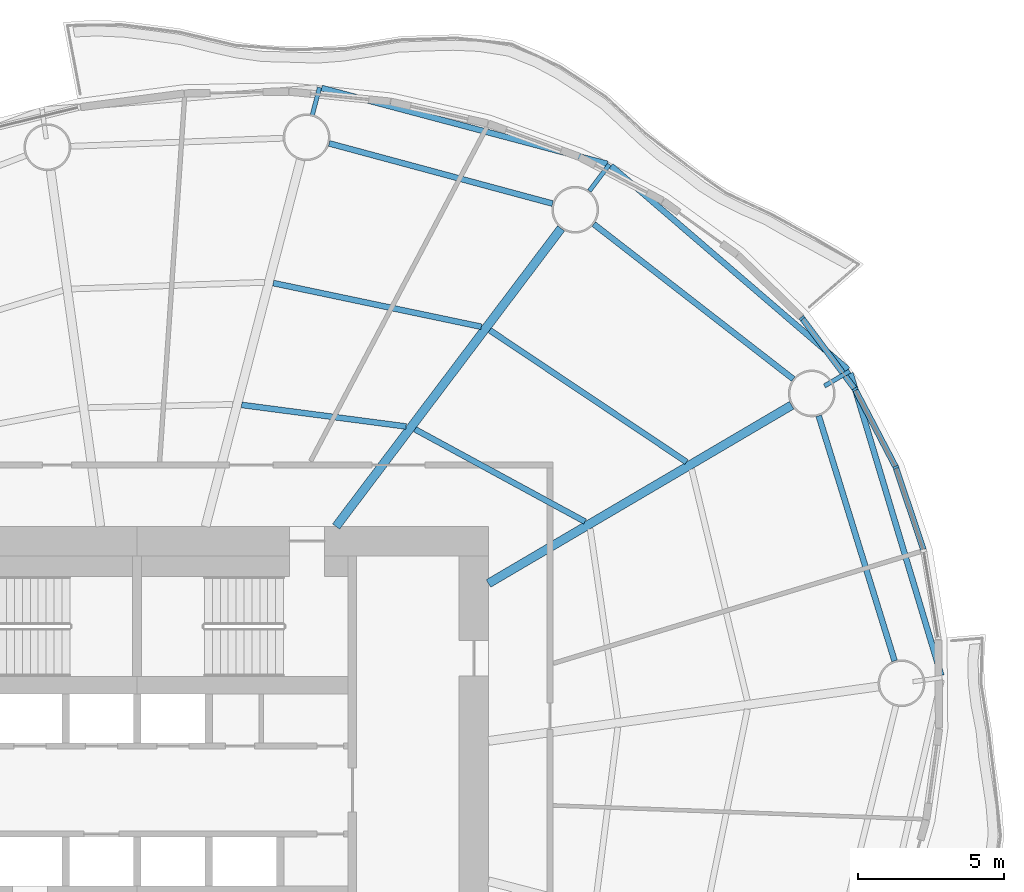
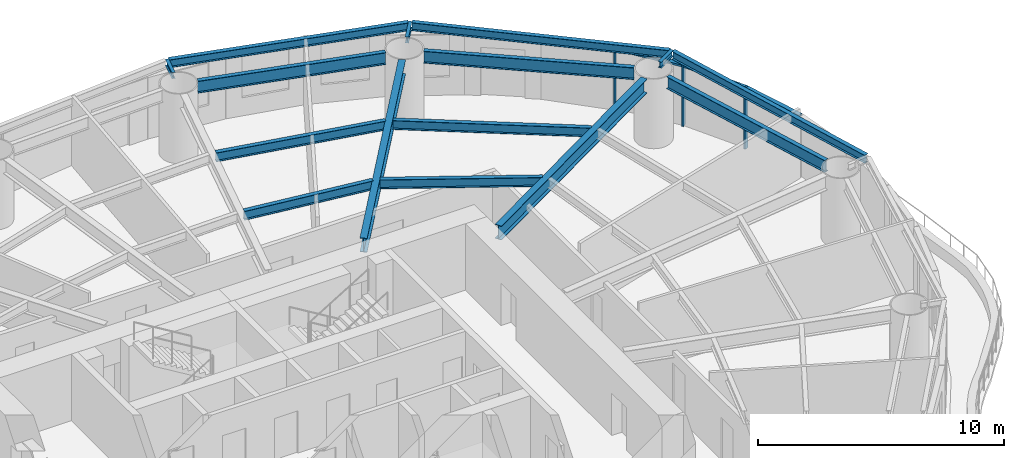
# One storey, part 6 of 14: 15 beams, 6 members, 3 elements without a shape of their own.
"""IFC4 building model written with IfcOpenShell, lengths in metres."""

import ifcopenshell
import ifcopenshell.guid

model = None  # the IFC model being written
_history = None  # IfcOwnerHistory: only IFC2X3 demands one
_inside = {}  # id of a spatial element -> (the spatial element, [elements in it])
_under = {}  # id of a project, library or spatial element -> (it, [spatial elements below it])
_declared = {}  # id of a project -> (the project, [libraries it declares])
_typed = {}  # id of a type object -> (the type object, [elements of that type])
_made_of = {}  # id of a material, layer set ... -> (it, [elements and type objects made of it])


def new_model(schema):
    """Start an empty IFC model of exactly this schema.

    Asked for "IFC4X3", IfcOpenShell would pick the latest addendum, in which some entities
    have other attributes; the version numbers below select the first issue.
    IFC2X3 requires an IfcOwnerHistory on every rooted entity: one is made here for all.
    """
    global model, _history
    if schema == "IFC4X3":
        model = ifcopenshell.file(schema_version=(4, 3, 0, 0))
    else:
        model = ifcopenshell.file(schema=schema)
    _inside.clear()
    _under.clear()
    _declared.clear()
    _typed.clear()
    _made_of.clear()
    _history = None
    if model.schema == "IFC2X3":
        org = make("IfcOrganization", Name="unknown")
        user = make(
            "IfcPersonAndOrganization",
            ThePerson=make("IfcPerson", FamilyName="unknown"),
            TheOrganization=org,
        )
        app = make(
            "IfcApplication",
            ApplicationDeveloper=org,
            Version="unknown",
            ApplicationFullName="unknown",
            ApplicationIdentifier="unknown",
        )
        _history = make(
            "IfcOwnerHistory",
            OwningUser=user,
            OwningApplication=app,
            ChangeAction="ADDED",
            CreationDate=0,
        )
    return model


def make(cls, **values):
    """One entity of the class cls with the attributes given. An attribute that is None is left unset."""
    return model.create_entity(
        cls, **{name: value for name, value in values.items() if value is not None}
    )


def rooted(cls, **values):
    """An entity with a GlobalId (a new one), such as an element, a storey or a relation."""
    return make(cls, GlobalId=ifcopenshell.guid.new(), OwnerHistory=_history, **values)


def si_unit(unit_type, name, prefix=None):
    """IfcSIUnit, for example si_unit("LENGTHUNIT", "METRE", prefix="MILLI")."""
    return make("IfcSIUnit", UnitType=unit_type, Prefix=prefix, Name=name)


def assignment(units):
    """IfcUnitAssignment: the units of a project."""
    return None if units is None else make("IfcUnitAssignment", Units=units)


def point(xyz):
    """IfcCartesianPoint."""
    return None if xyz is None else make("IfcCartesianPoint", Coordinates=xyz)


def direction(xyz):
    """IfcDirection."""
    return None if xyz is None else make("IfcDirection", DirectionRatios=xyz)


def frame(location, z_axis=None, x_axis=None):
    """IfcAxis2Placement3D, a coordinate frame: its origin and axes. An axis left out is left unset."""
    return make(
        "IfcAxis2Placement3D",
        Location=point(location),
        Axis=direction(z_axis),
        RefDirection=direction(x_axis),
    )


def frame_2d(location, x_axis=None):
    """IfcAxis2Placement2D, a coordinate frame in the plane: its origin and x axis."""
    return make(
        "IfcAxis2Placement2D", Location=point(location), RefDirection=direction(x_axis)
    )


def origin():
    """The frame at (0, 0, 0) with its axes left unset."""
    return frame((0.0, 0.0, 0.0))


def origin_2d():
    """The frame at (0, 0) in the plane with its x axis left unset."""
    return frame_2d((0.0, 0.0))


def place(relative_to, where):
    """IfcLocalPlacement: puts the frame where relative to a parent placement (None: the world)."""
    return make(
        "IfcLocalPlacement", PlacementRelTo=relative_to, RelativePlacement=where
    )


def context(
    kind, dimensions, precision=None, world=None, true_north=None, identifier=None
):
    """IfcGeometricRepresentationContext, for example the 3D "Model" context."""
    return make(
        "IfcGeometricRepresentationContext",
        ContextIdentifier=identifier,
        ContextType=kind,
        CoordinateSpaceDimension=dimensions,
        Precision=precision,
        WorldCoordinateSystem=world,
        TrueNorth=true_north,
    )


def subcontext(parent, identifier, kind, view, scale=None):
    """IfcGeometricRepresentationSubContext, for example "Body" below "Model"."""
    return make(
        "IfcGeometricRepresentationSubContext",
        ContextIdentifier=identifier,
        ContextType=kind,
        ParentContext=parent,
        TargetScale=scale,
        TargetView=view,
    )


def project(units=None, contexts=None):
    """IfcProject with its units and contexts."""
    return rooted(
        "IfcProject",
        Name="project",
        RepresentationContexts=contexts,
        UnitsInContext=assignment(units),
    )


def spatial(cls, under=None, at=None, **own):
    """A site, building, storey or space (cls), placed at a placement, below another one or the project."""
    s = rooted(cls, ObjectPlacement=at, **own)
    if under is not None:
        _under.setdefault(under.id(), (under, []))[1].append(s)
    return s


def profile(cls, at=None, kind="AREA", **sizes):
    """A parametric profile (cls). Its sizes go by their IFC names, for example OverallWidth=200.0."""
    return make(cls, ProfileType=kind, Position=at, **sizes)


def rectangle(**sizes):
    """IfcRectangleProfileDef."""
    return profile("IfcRectangleProfileDef", **sizes)


def i_section(**sizes):
    """IfcIShapeProfileDef."""
    return profile("IfcIShapeProfileDef", **sizes)


def extrude(swept, where, along, depth):
    """IfcExtrudedAreaSolid: the profile swept, set in the frame where, extruded along a direction by depth."""
    return make(
        "IfcExtrudedAreaSolid",
        SweptArea=swept,
        Position=where,
        ExtrudedDirection=direction(along),
        Depth=depth,
    )


def shape(context_of_items, identifier, shape_type, items):
    """IfcShapeRepresentation: the items that make up one representation, for example the "Body"."""
    return make(
        "IfcShapeRepresentation",
        ContextOfItems=context_of_items,
        RepresentationIdentifier=identifier,
        RepresentationType=shape_type,
        Items=items,
    )


def material(Name=None, Category=None):
    """IfcMaterial."""
    return make("IfcMaterial", Name=Name, Category=Category)


def material_profile(
    of_material, cross_section, Name=None, Category=None, Priority=None
):
    """IfcMaterialProfile: a cross section and its material."""
    return make(
        "IfcMaterialProfile",
        Name=Name,
        Material=of_material,
        Profile=cross_section,
        Priority=Priority,
        Category=Category,
    )


def profile_set(profiles, Name=None, composite=None):
    """IfcMaterialProfileSet."""
    return make(
        "IfcMaterialProfileSet",
        Name=Name,
        MaterialProfiles=profiles,
        CompositeProfile=composite,
    )


def made_of(thing, what):
    """Note that an element or type object is made of a material, layer set ...; save() writes the relation."""
    if what is not None:
        _made_of.setdefault(what.id(), (what, []))[1].append(thing)
    return thing


def type_object(cls, material=None, **own):
    """A type object (cls), such as IfcWallType, which elements share."""
    return made_of(rooted(cls, **own), material)


def element(
    cls,
    number,
    at=None,
    inside=None,
    cuts=None,
    type_object=None,
    material=None,
    context=None,
    identifier="Body",
    shape_type=None,
    held_by="IfcProductDefinitionShape",
    body=None,
    shapes=None,
    **own,
):
    """One element of the class cls, such as IfcWall. Its Tag is "e" and its number.

    at: its placement. inside: the storey or other place that contains it. cuts: it is an
    opening in that element (IfcRelVoidsElement). A single representation is given by context,
    identifier, shape_type and body (its items); several are given by shapes. held_by: the class
    of the entity that holds the representations. save() writes the other relations.
    """
    e = rooted(cls, Tag="e%d" % number, ObjectPlacement=at, **own)
    if body is not None:
        shapes = [shape(context, identifier, shape_type, body)]
    if shapes is not None:
        e.Representation = make(held_by, Representations=shapes)
    if inside is not None:
        _inside.setdefault(inside.id(), (inside, []))[1].append(e)
    if cuts is not None:
        rooted(
            "IfcRelVoidsElement", RelatingBuildingElement=cuts, RelatedOpeningElement=e
        )
    if type_object is not None:
        _typed.setdefault(type_object.id(), (type_object, []))[1].append(e)
    return made_of(e, material)


def aggregate(whole, parts):
    """IfcRelAggregates: a whole, such as a stair, and the parts it consists of."""
    return rooted("IfcRelAggregates", RelatingObject=whole, RelatedObjects=parts)


def save(model, path):
    """Write the relations noted so far, then the file.

    IfcRelAggregates (storeys below a building ...), IfcRelContainedInSpatialStructure (elements
    in a storey), IfcRelDefinesByType, IfcRelAssociatesMaterial and IfcRelDeclares: one each for
    every whole, place, type object, material and project.
    """
    for whole, parts in _under.values():
        aggregate(whole, parts)
    for where, things in _inside.values():
        rooted(
            "IfcRelContainedInSpatialStructure",
            RelatedElements=things,
            RelatingStructure=where,
        )
    for kind, things in _typed.values():
        rooted("IfcRelDefinesByType", RelatedObjects=things, RelatingType=kind)
    for what, things in _made_of.values():
        rooted("IfcRelAssociatesMaterial", RelatedObjects=things, RelatingMaterial=what)
    for by, libraries in _declared.values():
        rooted("IfcRelDeclares", RelatingContext=by, RelatedDefinitions=libraries)
    model.write(path)


model = new_model("IFC4")

# Units and contexts
model_context = context("Model", 3, precision=1e-05, world=origin(), true_north=direction((0.0, 1.0)))
body_context = subcontext(model_context, "Body", "Model", "MODEL_VIEW")
ifc_project = project(units=[si_unit("LENGTHUNIT", "METRE"), si_unit("AREAUNIT", "SQUARE_METRE"), si_unit("VOLUMEUNIT", "CUBIC_METRE"), si_unit("PLANEANGLEUNIT", "RADIAN"), si_unit("MASSUNIT", "GRAM", prefix="KILO")], contexts=[model_context])

# Site, building, storey
site_placement = place(None, origin())
site = spatial("IfcSite", under=ifc_project, at=site_placement, CompositionType="ELEMENT")
building_placement = place(site_placement, origin())
building = spatial("IfcBuilding", under=site, at=building_placement, Name="Vermilion Reach Broadcast Tower", CompositionType="ELEMENT")
storey_placement = place(building_placement, frame((0.0, 0.0, 124.60009765625)))
storey = spatial("IfcBuildingStorey", under=building, at=storey_placement, Name="L29", CompositionType="ELEMENT", Elevation=124.60009765625)

# Beams
ifc_material_1 = material(Name="Steel S355J2", Category="steel")
ifc_material_profile_1 = material_profile(ifc_material_1, i_section(OverallWidth=0.199951171875, OverallDepth=0.39990234375, WebThickness=0.008056640625, FlangeThickness=0.012939453125, at=origin_2d()), Name="S355J2 HN 400x200x8x13")
ifc_profile_set_1 = profile_set([ifc_material_profile_1], Name="Steel S355J2")
beam_type_1 = type_object("IfcBeamType", Name="EB2 HN 400x200x8x13", PredefinedType="BEAM", material=ifc_profile_set_1)
beam_1_placement = place(storey_placement, frame((18.279052734375, 14.360107421875, 3.25), z_axis=(-0.75823993255, 0.651975616635, 0.0), x_axis=(-0.651975616635, -0.75823993255, 0.0)))
element("IfcBeam", 1, at=beam_1_placement, inside=storey, type_object=beam_type_1, Name="Edge beam EB2-01", PredefinedType="BEAM", context=body_context, shape_type="SweptSolid", body=[
    extrude(i_section(OverallWidth=0.199951171875, OverallDepth=0.39990234375, WebThickness=0.008056640625, FlangeThickness=0.012939453125, at=origin_2d()), origin(), (0.0, 0.0, 1.0), 10.671875),
])
beam_2_placement = place(storey_placement, frame((10.052001953125, 21.3876953125, 3.25), z_axis=(-0.966518703459, 0.256596172738, 0.0), x_axis=(-0.256596172738, -0.966518703459, 0.0)))
element("IfcBeam", 2, at=beam_2_placement, inside=storey, type_object=beam_type_1, Name="Edge beam EB2-02", PredefinedType="BEAM", context=body_context, shape_type="SweptSolid", body=[
    extrude(i_section(OverallWidth=0.199951171875, OverallDepth=0.39990234375, WebThickness=0.008056640625, FlangeThickness=0.012939453125, at=origin_2d()), origin(), (0.0, 0.0, 1.0), 10.08935546875),
])
beam_3_placement = place(storey_placement, frame((21.4677734375, 3.91162109375, 3.25), z_axis=(-0.288145646921, 0.957586594601, 0.0), x_axis=(-0.957586594601, -0.288145646921, 0.0)))
element("IfcBeam", 3, at=beam_3_placement, inside=storey, type_object=beam_type_1, Name="Edge beam EB2-16", PredefinedType="BEAM", context=body_context, shape_type="SweptSolid", body=[
    extrude(i_section(OverallWidth=0.199951171875, OverallDepth=0.39990234375, WebThickness=0.008056640625, FlangeThickness=0.012939453125, at=origin_2d()), origin(), (0.0, 0.0, 1.0), 10.780029296875),
])
ifc_material_2 = material(Name="Steel S355J2", Category="steel")
ifc_material_profile_2 = material_profile(ifc_material_2, i_section(OverallWidth=0.300048828125, OverallDepth=0.699951171875, WebThickness=0.012939453125, FlangeThickness=0.02392578125, at=origin_2d()), Name="S355J2 HN 700x300x13x24")
ifc_profile_set_2 = profile_set([ifc_material_profile_2], Name="Steel S355J2")
beam_type_2 = type_object("IfcBeamType", Name="G2 HN 700x300x13x24", PredefinedType="BEAM", material=ifc_profile_set_2)
beam_4_placement = place(storey_placement, frame((6.0, 7.054443359375, 3.099853515625), z_axis=(0.862071616631, 0.506786471603, 0.0), x_axis=(-0.506786471603, 0.862071616631, 0.0)))
element("IfcBeam", 4, at=beam_4_placement, inside=storey, type_object=beam_type_2, Name="Girder G2-01", PredefinedType="BEAM", context=body_context, shape_type="SweptSolid", body=[
    extrude(i_section(OverallWidth=0.300048828125, OverallDepth=0.699951171875, WebThickness=0.012939453125, FlangeThickness=0.02392578125, at=origin_2d()), origin(), (0.0, 0.0, 1.0), 12.01025390625),
])
beam_5_placement = place(storey_placement, frame((0.794189453125, 9.0, 3.099853515625), z_axis=(0.602519842365, 0.798103902733, 0.0), x_axis=(-0.798103902733, 0.602519842365, 0.0)))
element("IfcBeam", 5, at=beam_5_placement, inside=storey, type_object=beam_type_2, Name="Girder G2-02", PredefinedType="BEAM", context=body_context, shape_type="SweptSolid", body=[
    extrude(i_section(OverallWidth=0.300048828125, OverallDepth=0.699951171875, WebThickness=0.012939453125, FlangeThickness=0.02392578125, at=origin_2d()), origin(), (0.0, 0.0, 1.0), 12.758544921875),
])
ifc_material_3 = material(Name="Steel S355J2", Category="steel")
ifc_material_profile_3 = material_profile(ifc_material_3, i_section(OverallWidth=0.14990234375, OverallDepth=0.300048828125, WebThickness=0.006591796875, FlangeThickness=0.009033203125, at=origin_2d()), Name="S355J2 HN 300x150x6.5x9")
ifc_profile_set_3 = profile_set([ifc_material_profile_3], Name="Steel S355J2")
beam_type_3 = type_object("IfcBeamType", Name="GS2 HN 300x150x6.5x9", PredefinedType="BEAM", material=ifc_profile_set_3)
beam_6_placement = place(storey_placement, frame((17.477294921875, 13.801513671875, 3.2998046875), z_axis=(0.862047161964, 0.506828068037, 0.0), x_axis=(-0.506828068037, 0.862047161964, 0.0)))
element("IfcBeam", 6, at=beam_6_placement, inside=storey, type_object=beam_type_3, Name="Cantilever stub GS2-01", PredefinedType="BEAM", context=body_context, shape_type="SweptSolid", body=[
    extrude(i_section(OverallWidth=0.14990234375, OverallDepth=0.300048828125, WebThickness=0.006591796875, FlangeThickness=0.009033203125, at=origin_2d()), origin(), (0.0, 0.0, 1.0), 1.0),
])
beam_7_placement = place(storey_placement, frame((9.4453125, 20.45947265625, 3.2998046875), z_axis=(0.602504984048, 0.798115119639, 0.0), x_axis=(-0.798115119639, 0.602504984048, 0.0)))
element("IfcBeam", 7, at=beam_7_placement, inside=storey, type_object=beam_type_3, Name="Cantilever stub GS2-02", PredefinedType="BEAM", context=body_context, shape_type="SweptSolid", body=[
    extrude(i_section(OverallWidth=0.14990234375, OverallDepth=0.300048828125, WebThickness=0.006591796875, FlangeThickness=0.009033203125, at=origin_2d()), origin(), (0.0, 0.0, 1.0), 1.136962890625),
])
beam_8_placement = place(storey_placement, frame((-0.023193359375, 23.02783203125, 3.2998046875), z_axis=(0.251199368006, 0.967935368459, 0.0), x_axis=(-0.967935368459, 0.251199368006, 0.0)))
element("IfcBeam", 8, at=beam_8_placement, inside=storey, type_object=beam_type_3, Name="Cantilever stub GS2-03", PredefinedType="BEAM", context=body_context, shape_type="SweptSolid", body=[
    extrude(i_section(OverallWidth=0.14990234375, OverallDepth=0.300048828125, WebThickness=0.006591796875, FlangeThickness=0.009033203125, at=origin_2d()), origin(), (0.0, 0.0, 1.0), 1.0),
])
ifc_material_4 = material(Name="Steel S355J2", Category="steel")
ifc_material_profile_4 = material_profile(ifc_material_4, i_section(OverallWidth=0.199951171875, OverallDepth=0.60009765625, WebThickness=0.010986328125, FlangeThickness=0.01708984375, at=origin_2d()), Name="S355J2 HN 600x200x11x17")
ifc_profile_set_4 = profile_set([ifc_material_profile_4], Name="Steel S355J2")
beam_type_4 = type_object("IfcBeamType", Name="RB2 HN 600x200x11x17", PredefinedType="BEAM", material=ifc_profile_set_4)
beam_9_placement = place(storey_placement, frame((16.41162109375, 14.037109375, 3.14990234375), z_axis=(-0.789825712432, 0.613331349257, 0.0), x_axis=(-0.613331349257, -0.789825712432, 0.0)))
element("IfcBeam", 9, at=beam_9_placement, inside=storey, type_object=beam_type_4, Name="Ring beam RB2-01", PredefinedType="BEAM", context=body_context, shape_type="SweptSolid", body=[
    extrude(i_section(OverallWidth=0.199951171875, OverallDepth=0.60009765625, WebThickness=0.010986328125, FlangeThickness=0.01708984375, at=origin_2d()), origin(), (0.0, 0.0, 1.0), 8.63037109375),
])
beam_10_placement = place(storey_placement, frame((8.19091796875, 20.029296875, 3.14990234375), z_axis=(-0.965541463834, 0.260249268234, 0.0), x_axis=(-0.260249268234, -0.965541463834, 0.0)))
element("IfcBeam", 10, at=beam_10_placement, inside=storey, type_object=beam_type_4, Name="Ring beam RB2-02", PredefinedType="BEAM", context=body_context, shape_type="SweptSolid", body=[
    extrude(i_section(OverallWidth=0.199951171875, OverallDepth=0.60009765625, WebThickness=0.010986328125, FlangeThickness=0.01708984375, at=origin_2d()), origin(), (0.0, 0.0, 1.0), 7.904541015625),
])
beam_11_placement = place(storey_placement, frame((19.872314453125, 4.410400390625, 3.14990234375), z_axis=(-0.295788439635, 0.95525347368, 0.0), x_axis=(-0.95525347368, -0.295788439635, 0.0)))
element("IfcBeam", 11, at=beam_11_placement, inside=storey, type_object=beam_type_4, Name="Ring beam RB2-16", PredefinedType="BEAM", context=body_context, shape_type="SweptSolid", body=[
    extrude(i_section(OverallWidth=0.199951171875, OverallDepth=0.60009765625, WebThickness=0.010986328125, FlangeThickness=0.01708984375, at=origin_2d()), origin(), (0.0, 0.0, 1.0), 8.763916015625),
])
ifc_material_5 = material(Name="Steel S355J2", Category="steel")
ifc_material_profile_5 = material_profile(ifc_material_5, i_section(OverallWidth=0.199951171875, OverallDepth=0.449951171875, WebThickness=0.009033203125, FlangeThickness=0.013916015625, at=origin_2d()), Name="S355J2 HN 450x200x9x14")
ifc_profile_set_5 = profile_set([ifc_material_profile_5], Name="Steel S355J2")
beam_type_5 = type_object("IfcBeamType", Name="SB2 HN 450x200x9x14", PredefinedType="BEAM", material=ifc_profile_set_5)
beam_12_placement = place(storey_placement, frame((9.29736328125, 9.1669921875, 3.224853515625), z_axis=(-0.878713106774, 0.477350265512, 0.0), x_axis=(-0.477350265512, -0.878713106774, 0.0)))
element("IfcBeam", 12, at=beam_12_placement, inside=storey, type_object=beam_type_5, Name="Secondary beam SB2-01-1", PredefinedType="BEAM", context=body_context, shape_type="SweptSolid", body=[
    extrude(i_section(OverallWidth=0.199951171875, OverallDepth=0.449951171875, WebThickness=0.009033203125, FlangeThickness=0.013916015625, at=origin_2d()), origin(), (0.0, 0.0, 1.0), 6.60888671875),
])
beam_13_placement = place(storey_placement, frame((12.76416015625, 11.204833984375, 3.224853515625), z_axis=(-0.830915400975, 0.556398774641, 0.0), x_axis=(-0.556398774641, -0.830915400975, 0.0)))
element("IfcBeam", 13, at=beam_13_placement, inside=storey, type_object=beam_type_5, Name="Secondary beam SB2-01-2", PredefinedType="BEAM", context=body_context, shape_type="SweptSolid", body=[
    extrude(i_section(OverallWidth=0.199951171875, OverallDepth=0.449951171875, WebThickness=0.009033203125, FlangeThickness=0.013916015625, at=origin_2d()), origin(), (0.0, 0.0, 1.0), 8.087646484375),
])
beam_14_placement = place(storey_placement, frame((3.185546875, 12.416748046875, 3.224853515625), z_axis=(-0.991498686864, 0.130116693573, 0.0), x_axis=(-0.130116693573, -0.991498686864, 0.0)))
element("IfcBeam", 14, at=beam_14_placement, inside=storey, type_object=beam_type_5, Name="Secondary beam SB2-02-1", PredefinedType="BEAM", context=body_context, shape_type="SweptSolid", body=[
    extrude(i_section(OverallWidth=0.199951171875, OverallDepth=0.449951171875, WebThickness=0.009033203125, FlangeThickness=0.013916015625, at=origin_2d()), origin(), (0.0, 0.0, 1.0), 5.66455078125),
])
beam_15_placement = place(storey_placement, frame((5.7568359375, 15.822509765625, 3.224853515625), z_axis=(-0.978631382549, 0.205622511148, 0.0), x_axis=(-0.205622511148, -0.978631382549, 0.0)))
element("IfcBeam", 15, at=beam_15_placement, inside=storey, type_object=beam_type_5, Name="Secondary beam SB2-02-2", PredefinedType="BEAM", context=body_context, shape_type="SweptSolid", body=[
    extrude(i_section(OverallWidth=0.199951171875, OverallDepth=0.449951171875, WebThickness=0.009033203125, FlangeThickness=0.013916015625, at=origin_2d()), origin(), (0.0, 0.0, 1.0), 7.262939453125),
])

# Curtain wall, member
ifc_material_6 = material(Name="Low-e laminated clear glass in aluminium frame", Category="aluminium")
curtain_wall_type = type_object("IfcCurtainWallType", Name="Slot curtain wall", PredefinedType="NOTDEFINED", material=ifc_material_6)
placement = place(storey_placement, origin())
curtain_wall_1 = element("IfcCurtainWall", 16, at=placement, inside=storey, type_object=curtain_wall_type, Name="Slot curtain wall L29 00", PredefinedType="NOTDEFINED")
ifc_material_7 = material(Name="Anodised aluminium", Category="aluminium")
ifc_material_profile_6 = material_profile(ifc_material_7, rectangle(XDim=0.199951171875, YDim=0.080078125, at=origin_2d()), Name="Slot mullion 80 x 200")
ifc_profile_set_6 = profile_set([ifc_material_profile_6], Name="Anodised aluminium")
member_type_1 = type_object("IfcMemberType", Name="Slot mullion 80 x 200", PredefinedType="MULLION", material=ifc_profile_set_6)
member_1_placement = place(storey_placement, frame((19.914794921875, 11.021484375, 0.0), z_axis=(0.0, 0.0, 1.0), x_axis=(-0.92023186268, -0.391373630828, 0.0)))
member_1 = element("IfcMember", 17, at=member_1_placement, type_object=member_type_1, Name="Slot mullion L29 00", PredefinedType="MULLION", context=body_context, shape_type="SweptSolid", body=[
    extrude(rectangle(XDim=0.199951171875, YDim=0.080078125, at=origin_2d()), origin(), (0.0, 0.0, 1.0), 3.0498046875),
])

# Curtain wall, members
curtain_wall_2 = element("IfcCurtainWall", 18, at=placement, inside=storey, type_object=curtain_wall_type, Name="Slot curtain wall L29 01", PredefinedType="NOTDEFINED")
member_2_placement = place(storey_placement, frame((18.521484375, 13.685302734375, 0.0), z_axis=(0.0, 0.0, 1.0), x_axis=(-0.846668309003, -0.53212101493, 0.0)))
member_2 = element("IfcMember", 19, at=member_2_placement, type_object=member_type_1, Name="Slot mullion L29 01", PredefinedType="MULLION", context=body_context, shape_type="SweptSolid", body=[
    extrude(rectangle(XDim=0.199951171875, YDim=0.080078125, at=origin_2d()), origin(), (0.0, 0.0, 1.0), 3.0498046875),
])
member_3_placement = place(storey_placement, frame((16.7099609375, 16.11669921875, 0.0), z_axis=(0.0, 0.0, 1.0), x_axis=(-0.753409199154, -0.657551958882, 0.0)))
member_3 = element("IfcMember", 20, at=member_3_placement, type_object=member_type_1, Name="Slot mullion L29 02", PredefinedType="MULLION", context=body_context, shape_type="SweptSolid", body=[
    extrude(rectangle(XDim=0.199951171875, YDim=0.080078125, at=origin_2d()), origin(), (0.0, 0.0, 1.0), 3.0498046875),
])

# Curtain wall, member
curtain_wall_3 = element("IfcCurtainWall", 21, at=placement, inside=storey, type_object=curtain_wall_type, Name="Slot curtain wall L29 47", PredefinedType="NOTDEFINED")
ifc_material_8 = material(Name="Anodised aluminium", Category="aluminium")
ifc_material_profile_7 = material_profile(ifc_material_8, rectangle(XDim=0.199951171875, YDim=0.10009765625, at=origin_2d()), Name="Slot transom 200 x 100")
ifc_profile_set_7 = profile_set([ifc_material_profile_7], Name="Anodised aluminium")
member_type_2 = type_object("IfcMemberType", Name="Slot transom 200 x 100", PredefinedType="USERDEFINED", material=ifc_profile_set_7)
member_4_placement = place(storey_placement, frame((20.854248046875, 8.2080078125, 3.0), z_axis=(-0.316703281793, 0.948524660355, 0.0), x_axis=(-0.948524660355, -0.316703281793, 0.0)))
member_4 = element("IfcMember", 22, at=member_4_placement, type_object=member_type_2, Name="Slot transom L29 47.1", ObjectType="TRANSOM", PredefinedType="USERDEFINED", context=body_context, shape_type="SweptSolid", body=[
    extrude(rectangle(XDim=0.199951171875, YDim=0.10009765625, at=origin_2d()), origin(), (0.0, 0.0, 1.0), 2.92626953125),
])
aggregate(curtain_wall_3, [member_4])

# Member
member_5_placement = place(storey_placement, frame((19.896240234375, 11.056884765625, 3.0), z_axis=(-0.463458221814, 0.886118771177, 0.0), x_axis=(-0.886118771177, -0.463458221814, 0.0)))
member_5 = element("IfcMember", 23, at=member_5_placement, type_object=member_type_2, Name="Slot transom L29 00.1", ObjectType="TRANSOM", PredefinedType="USERDEFINED", context=body_context, shape_type="SweptSolid", body=[
    extrude(rectangle(XDim=0.199951171875, YDim=0.10009765625, at=origin_2d()), origin(), (0.0, 0.0, 1.0), 2.92626953125),
])

aggregate(curtain_wall_1, [member_1, member_5])

member_6_placement = place(storey_placement, frame((18.49755859375, 13.71728515625, 3.0), z_axis=(-0.597416674403, 0.801930992758, 0.0), x_axis=(-0.801930992758, -0.597416674403, 0.0)))
member_6 = element("IfcMember", 24, at=member_6_placement, type_object=member_type_2, Name="Slot transom L29 01.1", ObjectType="TRANSOM", PredefinedType="USERDEFINED", context=body_context, shape_type="SweptSolid", body=[
    extrude(rectangle(XDim=0.199951171875, YDim=0.10009765625, at=origin_2d()), origin(), (0.0, 0.0, 1.0), 2.9521484375),
])

aggregate(curtain_wall_2, [member_2, member_3, member_6])

save(model, "model.ifc")
